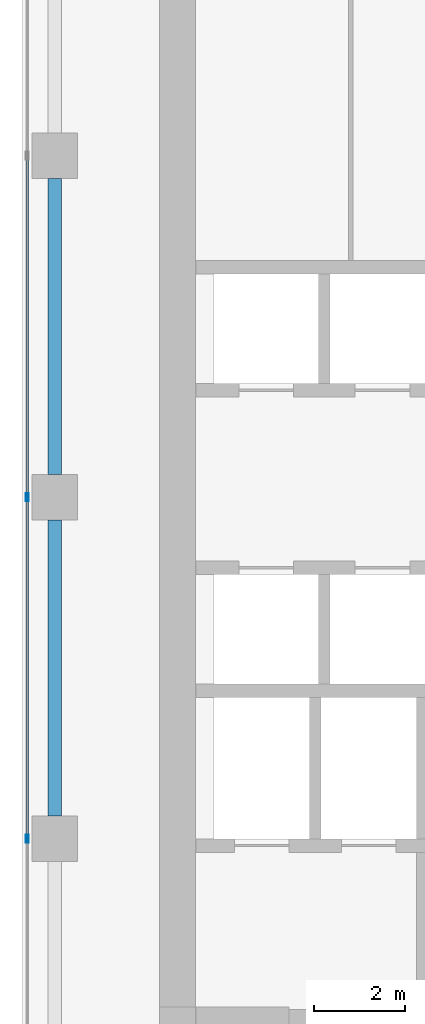
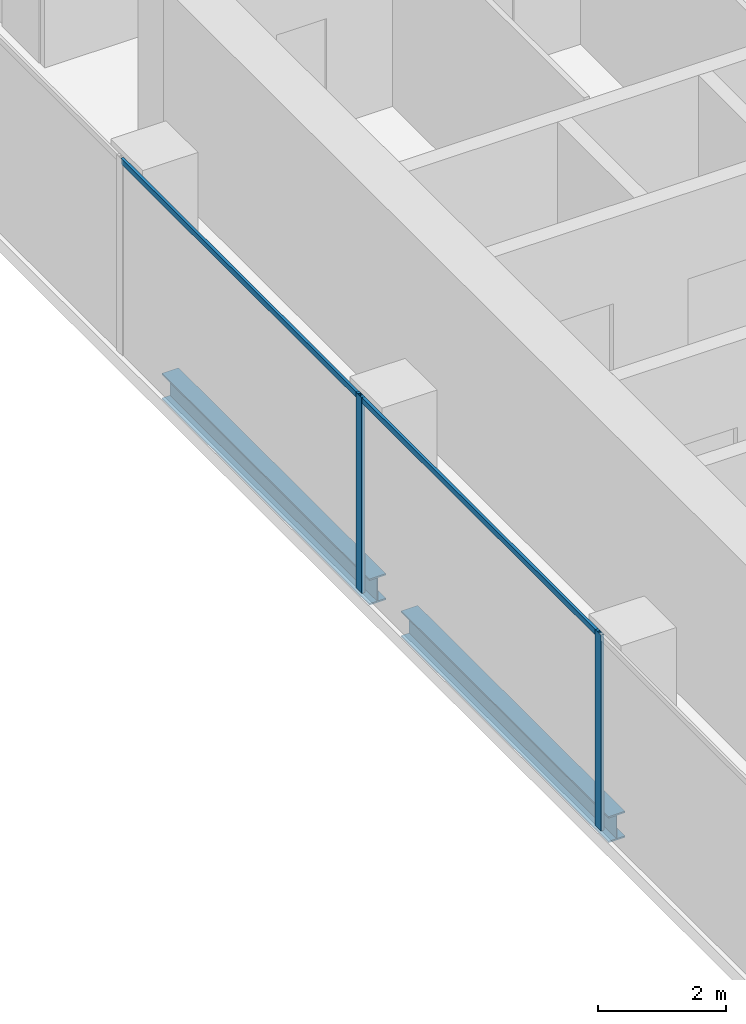
# One storey, part 6 of 40: 4 members, 2 beams, 1 element without a shape of its own.
"""IFC4 building model written with IfcOpenShell, lengths in metres."""

import ifcopenshell
import ifcopenshell.guid

model = None  # the IFC model being written
_history = None  # IfcOwnerHistory: only IFC2X3 demands one
_inside = {}  # id of a spatial element -> (the spatial element, [elements in it])
_under = {}  # id of a project, library or spatial element -> (it, [spatial elements below it])
_declared = {}  # id of a project -> (the project, [libraries it declares])
_typed = {}  # id of a type object -> (the type object, [elements of that type])
_made_of = {}  # id of a material, layer set ... -> (it, [elements and type objects made of it])


def new_model(schema):
    """Start an empty IFC model of exactly this schema.

    Asked for "IFC4X3", IfcOpenShell would pick the latest addendum, in which some entities
    have other attributes; the version numbers below select the first issue.
    IFC2X3 requires an IfcOwnerHistory on every rooted entity: one is made here for all.
    """
    global model, _history
    if schema == "IFC4X3":
        model = ifcopenshell.file(schema_version=(4, 3, 0, 0))
    else:
        model = ifcopenshell.file(schema=schema)
    _inside.clear()
    _under.clear()
    _declared.clear()
    _typed.clear()
    _made_of.clear()
    _history = None
    if model.schema == "IFC2X3":
        org = make("IfcOrganization", Name="unknown")
        user = make(
            "IfcPersonAndOrganization",
            ThePerson=make("IfcPerson", FamilyName="unknown"),
            TheOrganization=org,
        )
        app = make(
            "IfcApplication",
            ApplicationDeveloper=org,
            Version="unknown",
            ApplicationFullName="unknown",
            ApplicationIdentifier="unknown",
        )
        _history = make(
            "IfcOwnerHistory",
            OwningUser=user,
            OwningApplication=app,
            ChangeAction="ADDED",
            CreationDate=0,
        )
    return model


def make(cls, **values):
    """One entity of the class cls with the attributes given. An attribute that is None is left unset."""
    return model.create_entity(
        cls, **{name: value for name, value in values.items() if value is not None}
    )


def rooted(cls, **values):
    """An entity with a GlobalId (a new one), such as an element, a storey or a relation."""
    return make(cls, GlobalId=ifcopenshell.guid.new(), OwnerHistory=_history, **values)


def si_unit(unit_type, name, prefix=None):
    """IfcSIUnit, for example si_unit("LENGTHUNIT", "METRE", prefix="MILLI")."""
    return make("IfcSIUnit", UnitType=unit_type, Prefix=prefix, Name=name)


def assignment(units):
    """IfcUnitAssignment: the units of a project."""
    return None if units is None else make("IfcUnitAssignment", Units=units)


def point(xyz):
    """IfcCartesianPoint."""
    return None if xyz is None else make("IfcCartesianPoint", Coordinates=xyz)


def direction(xyz):
    """IfcDirection."""
    return None if xyz is None else make("IfcDirection", DirectionRatios=xyz)


def frame(location, z_axis=None, x_axis=None):
    """IfcAxis2Placement3D, a coordinate frame: its origin and axes. An axis left out is left unset."""
    return make(
        "IfcAxis2Placement3D",
        Location=point(location),
        Axis=direction(z_axis),
        RefDirection=direction(x_axis),
    )


def frame_2d(location, x_axis=None):
    """IfcAxis2Placement2D, a coordinate frame in the plane: its origin and x axis."""
    return make(
        "IfcAxis2Placement2D", Location=point(location), RefDirection=direction(x_axis)
    )


def origin():
    """The frame at (0, 0, 0) with its axes left unset."""
    return frame((0.0, 0.0, 0.0))


def origin_2d():
    """The frame at (0, 0) in the plane with its x axis left unset."""
    return frame_2d((0.0, 0.0))


def place(relative_to, where):
    """IfcLocalPlacement: puts the frame where relative to a parent placement (None: the world)."""
    return make(
        "IfcLocalPlacement", PlacementRelTo=relative_to, RelativePlacement=where
    )


def context(
    kind, dimensions, precision=None, world=None, true_north=None, identifier=None
):
    """IfcGeometricRepresentationContext, for example the 3D "Model" context."""
    return make(
        "IfcGeometricRepresentationContext",
        ContextIdentifier=identifier,
        ContextType=kind,
        CoordinateSpaceDimension=dimensions,
        Precision=precision,
        WorldCoordinateSystem=world,
        TrueNorth=true_north,
    )


def subcontext(parent, identifier, kind, view, scale=None):
    """IfcGeometricRepresentationSubContext, for example "Body" below "Model"."""
    return make(
        "IfcGeometricRepresentationSubContext",
        ContextIdentifier=identifier,
        ContextType=kind,
        ParentContext=parent,
        TargetScale=scale,
        TargetView=view,
    )


def project(units=None, contexts=None):
    """IfcProject with its units and contexts."""
    return rooted(
        "IfcProject",
        Name="project",
        RepresentationContexts=contexts,
        UnitsInContext=assignment(units),
    )


def spatial(cls, under=None, at=None, **own):
    """A site, building, storey or space (cls), placed at a placement, below another one or the project."""
    s = rooted(cls, ObjectPlacement=at, **own)
    if under is not None:
        _under.setdefault(under.id(), (under, []))[1].append(s)
    return s


def profile(cls, at=None, kind="AREA", **sizes):
    """A parametric profile (cls). Its sizes go by their IFC names, for example OverallWidth=200.0."""
    return make(cls, ProfileType=kind, Position=at, **sizes)


def hollow_rectangle(**sizes):
    """IfcRectangleHollowProfileDef."""
    return profile("IfcRectangleHollowProfileDef", **sizes)


def i_section(**sizes):
    """IfcIShapeProfileDef."""
    return profile("IfcIShapeProfileDef", **sizes)


def extrude(swept, where, along, depth):
    """IfcExtrudedAreaSolid: the profile swept, set in the frame where, extruded along a direction by depth."""
    return make(
        "IfcExtrudedAreaSolid",
        SweptArea=swept,
        Position=where,
        ExtrudedDirection=direction(along),
        Depth=depth,
    )


def shape(context_of_items, identifier, shape_type, items):
    """IfcShapeRepresentation: the items that make up one representation, for example the "Body"."""
    return make(
        "IfcShapeRepresentation",
        ContextOfItems=context_of_items,
        RepresentationIdentifier=identifier,
        RepresentationType=shape_type,
        Items=items,
    )


def source(mapping_origin, context_of_items, identifier, shape_type, items):
    """IfcRepresentationMap: a shape defined once, which mapped items show again and again."""
    return make(
        "IfcRepresentationMap",
        MappingOrigin=mapping_origin,
        MappedRepresentation=shape(context_of_items, identifier, shape_type, items),
    )


def transform(
    local_origin,
    x_axis=None,
    y_axis=None,
    z_axis=None,
    scale=None,
    scale2=None,
    scale3=None,
    uniform=True,
):
    """IfcCartesianTransformationOperator3D, or its non-uniform kind. x_axis, y_axis, z_axis: its Axis1, 2, 3."""
    if uniform:
        return make(
            "IfcCartesianTransformationOperator3D",
            Axis1=direction(x_axis),
            Axis2=direction(y_axis),
            LocalOrigin=point(local_origin),
            Scale=scale,
            Axis3=direction(z_axis),
        )
    return make(
        "IfcCartesianTransformationOperator3DnonUniform",
        Axis1=direction(x_axis),
        Axis2=direction(y_axis),
        LocalOrigin=point(local_origin),
        Scale=scale,
        Axis3=direction(z_axis),
        Scale2=scale2,
        Scale3=scale3,
    )


def mapped(mapping_source, mapping_target):
    """IfcMappedItem: shows the shape of a source again, moved by a transform."""
    return make(
        "IfcMappedItem", MappingSource=mapping_source, MappingTarget=mapping_target
    )


def material(Name=None, Category=None):
    """IfcMaterial."""
    return make("IfcMaterial", Name=Name, Category=Category)


def material_profile(
    of_material, cross_section, Name=None, Category=None, Priority=None
):
    """IfcMaterialProfile: a cross section and its material."""
    return make(
        "IfcMaterialProfile",
        Name=Name,
        Material=of_material,
        Profile=cross_section,
        Priority=Priority,
        Category=Category,
    )


def profile_set(profiles, Name=None, composite=None):
    """IfcMaterialProfileSet."""
    return make(
        "IfcMaterialProfileSet",
        Name=Name,
        MaterialProfiles=profiles,
        CompositeProfile=composite,
    )


def made_of(thing, what):
    """Note that an element or type object is made of a material, layer set ...; save() writes the relation."""
    if what is not None:
        _made_of.setdefault(what.id(), (what, []))[1].append(thing)
    return thing


def type_object(cls, material=None, **own):
    """A type object (cls), such as IfcWallType, which elements share."""
    return made_of(rooted(cls, **own), material)


def element(
    cls,
    number,
    at=None,
    inside=None,
    cuts=None,
    type_object=None,
    material=None,
    context=None,
    identifier="Body",
    shape_type=None,
    held_by="IfcProductDefinitionShape",
    body=None,
    shapes=None,
    **own,
):
    """One element of the class cls, such as IfcWall. Its Tag is "e" and its number.

    at: its placement. inside: the storey or other place that contains it. cuts: it is an
    opening in that element (IfcRelVoidsElement). A single representation is given by context,
    identifier, shape_type and body (its items); several are given by shapes. held_by: the class
    of the entity that holds the representations. save() writes the other relations.
    """
    e = rooted(cls, Tag="e%d" % number, ObjectPlacement=at, **own)
    if body is not None:
        shapes = [shape(context, identifier, shape_type, body)]
    if shapes is not None:
        e.Representation = make(held_by, Representations=shapes)
    if inside is not None:
        _inside.setdefault(inside.id(), (inside, []))[1].append(e)
    if cuts is not None:
        rooted(
            "IfcRelVoidsElement", RelatingBuildingElement=cuts, RelatedOpeningElement=e
        )
    if type_object is not None:
        _typed.setdefault(type_object.id(), (type_object, []))[1].append(e)
    return made_of(e, material)


def aggregate(whole, parts):
    """IfcRelAggregates: a whole, such as a stair, and the parts it consists of."""
    return rooted("IfcRelAggregates", RelatingObject=whole, RelatedObjects=parts)


def save(model, path):
    """Write the relations noted so far, then the file.

    IfcRelAggregates (storeys below a building ...), IfcRelContainedInSpatialStructure (elements
    in a storey), IfcRelDefinesByType, IfcRelAssociatesMaterial and IfcRelDeclares: one each for
    every whole, place, type object, material and project.
    """
    for whole, parts in _under.values():
        aggregate(whole, parts)
    for where, things in _inside.values():
        rooted(
            "IfcRelContainedInSpatialStructure",
            RelatedElements=things,
            RelatingStructure=where,
        )
    for kind, things in _typed.values():
        rooted("IfcRelDefinesByType", RelatedObjects=things, RelatingType=kind)
    for what, things in _made_of.values():
        rooted("IfcRelAssociatesMaterial", RelatedObjects=things, RelatingMaterial=what)
    for by, libraries in _declared.values():
        rooted("IfcRelDeclares", RelatingContext=by, RelatedDefinitions=libraries)
    model.write(path)


model = new_model("IFC4")

# Units and contexts
model_context = context("Model", 3, precision=1e-05, world=origin(), true_north=direction((0.0, 1.0)))
body_context = subcontext(model_context, "Body", "Model", "MODEL_VIEW")
ifc_project = project(units=[si_unit("LENGTHUNIT", "METRE"), si_unit("AREAUNIT", "SQUARE_METRE"), si_unit("VOLUMEUNIT", "CUBIC_METRE"), si_unit("PLANEANGLEUNIT", "RADIAN"), si_unit("MASSUNIT", "GRAM", prefix="KILO")], contexts=[model_context])

# Site, building, storey
site_placement = place(None, origin())
site = spatial("IfcSite", under=ifc_project, at=site_placement, CompositionType="ELEMENT")
building_placement = place(site_placement, origin())
building = spatial("IfcBuilding", under=site, at=building_placement, Name="Khomas Fold Tower", CompositionType="ELEMENT")
storey_placement = place(building_placement, frame((0.0, 0.0, 184.699951171875)))
storey = spatial("IfcBuildingStorey", under=building, at=storey_placement, Name="L40", CompositionType="ELEMENT", Elevation=184.699951171875)

# Beams
ifc_material_1 = material(Name="Steel S355", Category="steel")
ifc_material_profile_1 = material_profile(ifc_material_1, i_section(OverallWidth=0.300048828125, OverallDepth=0.5, WebThickness=0.014404296875, FlangeThickness=0.028076171875, at=origin_2d()), Name="HE 500 B")
ifc_profile_set_1 = profile_set([ifc_material_profile_1], Name="Steel S355")
beam_type = type_object("IfcBeamType", Name="HE 500 B spandrel SB3", PredefinedType="SPANDREL", material=ifc_profile_set_1)
shared_shape_1 = source(origin(), body_context, "Body", "SweptSolid", [
    extrude(i_section(OverallWidth=0.300048828125, OverallDepth=0.5, WebThickness=0.014404296875, FlangeThickness=0.028076171875, at=origin_2d()), origin(), (0.0, 0.0, 1.0), 6.5),
])
for number, where, z_axis, x_axis, name in (
    (1, (3.699951171875, 27.5, -0.5), (0.0, 1.0, 0.0), (-1.0, 0.0, 0.0), "SB3"),
    (2, (3.699951171875, 20.0, -0.5), (0.0, 1.0, 0.0), (-1.0, 0.0, 0.0), "SB3"),
):
    element("IfcBeam", number, at=place(storey_placement, frame(where, z_axis=z_axis, x_axis=x_axis)), inside=storey, type_object=beam_type, Name=name, PredefinedType="SPANDREL", context=body_context, shape_type="MappedRepresentation", body=[
        mapped(shared_shape_1, transform((0.0, 0.0, 0.0))),
    ])

# Curtain wall, members
ifc_material_2 = material(Name="Aluminium framed double glazing", Category="aluminium")
curtain_wall_type = type_object("IfcCurtainWallType", Name="SK-Unitised clear-glass wall, office floors CW2", PredefinedType="NOTDEFINED", material=ifc_material_2)
curtain_wall_placement = place(storey_placement, origin())
curtain_wall = element("IfcCurtainWall", 3, at=curtain_wall_placement, inside=storey, type_object=curtain_wall_type, Name="CW2 run L40 18-0", PredefinedType="NOTDEFINED")
ifc_material_3 = material(Name="Aluminium", Category="aluminium")
ifc_material_profile_2 = material_profile(ifc_material_3, hollow_rectangle(XDim=0.06005859375, YDim=0.179931640625, WallThickness=0.00390625, at=origin_2d()), Name="SK-Unitised clear-glass wall, office floors mullion CW2-M")
ifc_profile_set_2 = profile_set([ifc_material_profile_2], Name="Aluminium")
member_type_1 = type_object("IfcMemberType", Name="SK-Unitised clear-glass wall, office floors mullion CW2-M", PredefinedType="MULLION", material=ifc_profile_set_2)
shared_shape_2 = source(origin(), body_context, "Body", "SweptSolid", [
    extrude(hollow_rectangle(XDim=0.06005859375, YDim=0.179931640625, WallThickness=0.00390625, at=origin_2d()), origin(), (0.0, 0.0, 1.0), 3.75),
])
member_1_placement = place(storey_placement, frame((3.10009765625, 27.0, 0.0), z_axis=(0.0, 0.0, 1.0), x_axis=(1.0, 0.0, 0.0)))
member_1 = element("IfcMember", 4, at=member_1_placement, type_object=member_type_1, Name="CW2 mullion 5", PredefinedType="MULLION", context=body_context, shape_type="MappedRepresentation", body=[
    mapped(shared_shape_2, transform((0.0, 0.0, 0.0))),
])
member_2_placement = place(storey_placement, frame((3.10009765625, 19.5, 0.0), z_axis=(0.0, 0.0, 1.0), x_axis=(1.0, 0.0, 0.0)))
member_2 = element("IfcMember", 5, at=member_2_placement, type_object=member_type_1, Name="CW2 mullion 6", PredefinedType="MULLION", context=body_context, shape_type="MappedRepresentation", body=[
    mapped(shared_shape_2, transform((0.0, 0.0, 0.0))),
])
ifc_material_4 = material(Name="Aluminium", Category="aluminium")
ifc_material_profile_3 = material_profile(ifc_material_4, hollow_rectangle(XDim=0.050048828125, YDim=0.110107421875, WallThickness=0.00390625, at=origin_2d()), Name="SK-Unitised clear-glass wall, office floors transom CW2-T")
ifc_profile_set_3 = profile_set([ifc_material_profile_3], Name="Aluminium")
member_type_2 = type_object("IfcMemberType", Name="SK-Unitised clear-glass wall, office floors transom CW2-T", PredefinedType="USERDEFINED", material=ifc_profile_set_3)
shared_shape_3 = source(origin(), body_context, "Body", "SweptSolid", [
    extrude(hollow_rectangle(XDim=0.050048828125, YDim=0.110107421875, WallThickness=0.00390625, at=origin_2d()), origin(), (0.0, 0.0, 1.0), 7.43994140625),
])
member_3_placement = place(storey_placement, frame((3.10009765625, 34.469970703125, 3.695068359375), z_axis=(0.0, -1.0, 0.0), x_axis=(1.0, 0.0, 0.0)))
member_3 = element("IfcMember", 6, at=member_3_placement, type_object=member_type_2, Name="CW2 transom 4", ObjectType="TRANSOM", PredefinedType="USERDEFINED", context=body_context, shape_type="MappedRepresentation", body=[
    mapped(shared_shape_3, transform((0.0, 0.0, 0.0))),
])
member_4_placement = place(storey_placement, frame((3.10009765625, 26.969970703125, 3.695068359375), z_axis=(0.0, -1.0, 0.0), x_axis=(1.0, 0.0, 0.0)))
member_4 = element("IfcMember", 7, at=member_4_placement, type_object=member_type_2, Name="CW2 transom 5", ObjectType="TRANSOM", PredefinedType="USERDEFINED", context=body_context, shape_type="MappedRepresentation", body=[
    mapped(shared_shape_3, transform((0.0, 0.0, 0.0))),
])
aggregate(curtain_wall, [member_1, member_2, member_3, member_4])

save(model, "model.ifc")
